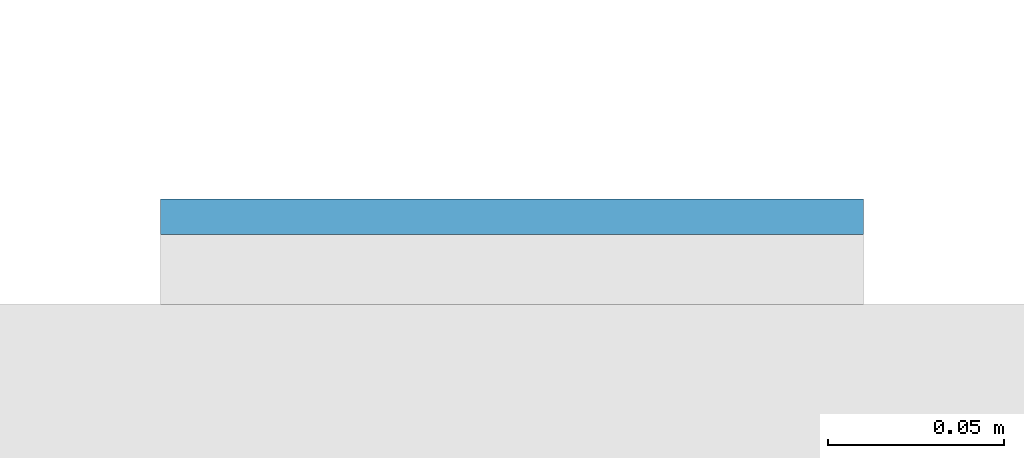
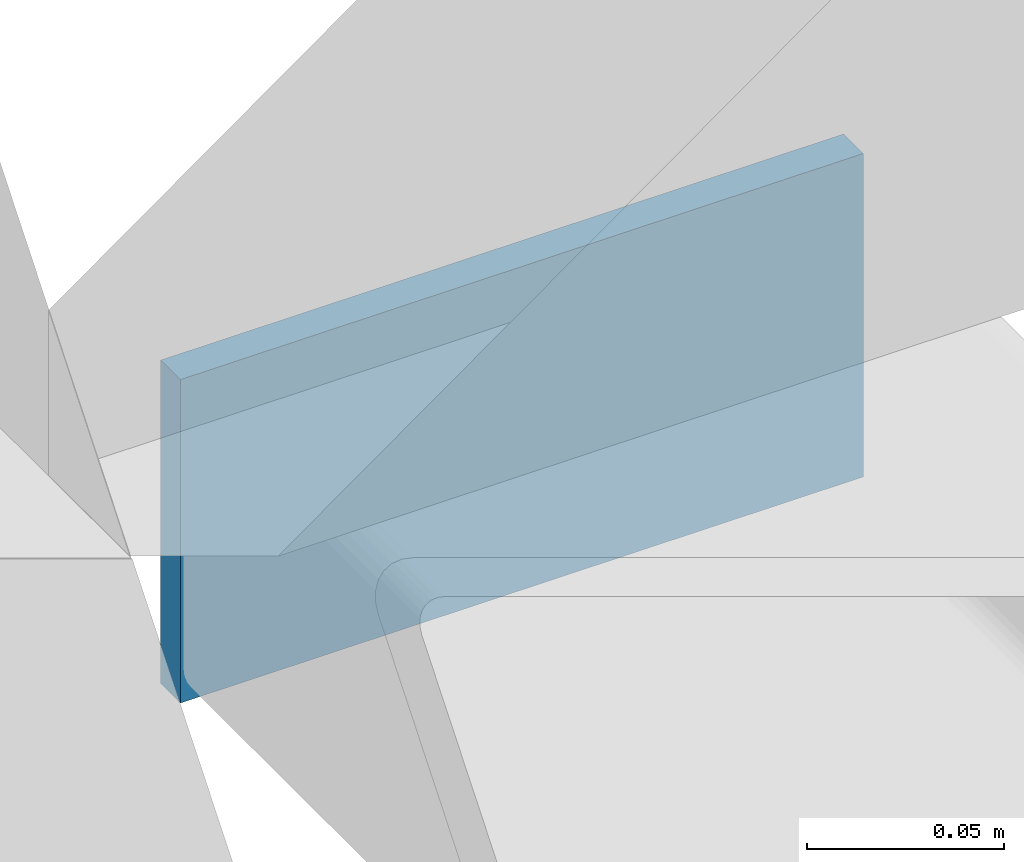
# One storey, part 6 of 12: 1 plate.
"""IFC4 building model written with IfcOpenShell, lengths in metres."""

from ifc_helpers import new_model, si_unit, direction, frame, origin, origin_2d, place, context, subcontext, project, spatial, rectangle, extrude, material, layer, layer_set, type_object, element, save


model = new_model("IFC4")

# Units and contexts
model_context = context("Model", 3, precision=1e-05, world=origin(), true_north=direction((0.0, 1.0)))
body_context = subcontext(model_context, "Body", "Model", "MODEL_VIEW")
ifc_project = project(units=[si_unit("LENGTHUNIT", "METRE"), si_unit("AREAUNIT", "SQUARE_METRE"), si_unit("VOLUMEUNIT", "CUBIC_METRE"), si_unit("PLANEANGLEUNIT", "RADIAN"), si_unit("MASSUNIT", "GRAM", prefix="KILO")], contexts=[model_context])

# Site, building, storey
site_placement = place(None, origin())
site = spatial("IfcSite", under=ifc_project, at=site_placement, CompositionType="ELEMENT")
building_placement = place(site_placement, origin())
building = spatial("IfcBuilding", under=site, at=building_placement, Name="Cleftline Residences", CompositionType="ELEMENT")
storey_placement = place(building_placement, frame((0.0, 0.0, 270.0)))
storey = spatial("IfcBuildingStorey", under=building, at=storey_placement, Name="L71", CompositionType="ELEMENT", Elevation=270.0)

# Plate
ifc_material = material(Name="Steel S355, hot-dip galvanised", Category="steel")
ifc_layer = layer(ifc_material, 0.010009765625)
ifc_layer_set = layer_set([ifc_layer], Name="BAGUETTE CARRIER END PLATE 200X100X10")
plate_type = type_object("IfcPlateType", Name="BAGUETTE CARRIER END PLATE 200X100X10", PredefinedType="USERDEFINED", material=ifc_layer_set)
plate_placement = place(storey_placement, frame((66.85009765625, 44.304931640625, -0.10009765625), z_axis=(0.0, 0.0, 1.0), x_axis=(1.0, 0.0, 0.0)))
element("IfcPlate", 1, at=plate_placement, inside=storey, type_object=plate_type, Name="Baguette carrier end plate", ObjectType="BAGUETTE CARRIER END PLATE", PredefinedType="USERDEFINED", context=body_context, shape_type="SweptSolid", body=[
    extrude(rectangle(XDim=0.199951171875, YDim=0.010009765625, at=origin_2d()), origin(), (0.0, 0.0, 1.0), 0.10009765625),
])

save(model, "model.ifc")
